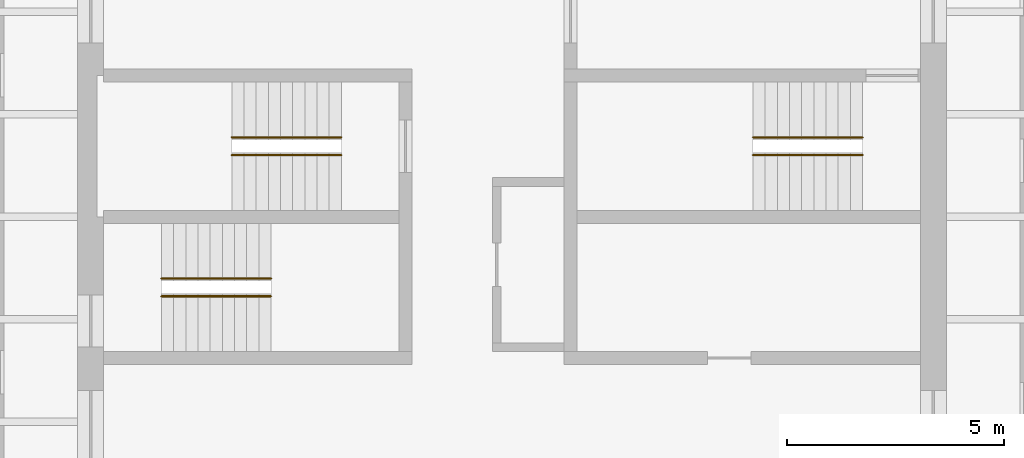
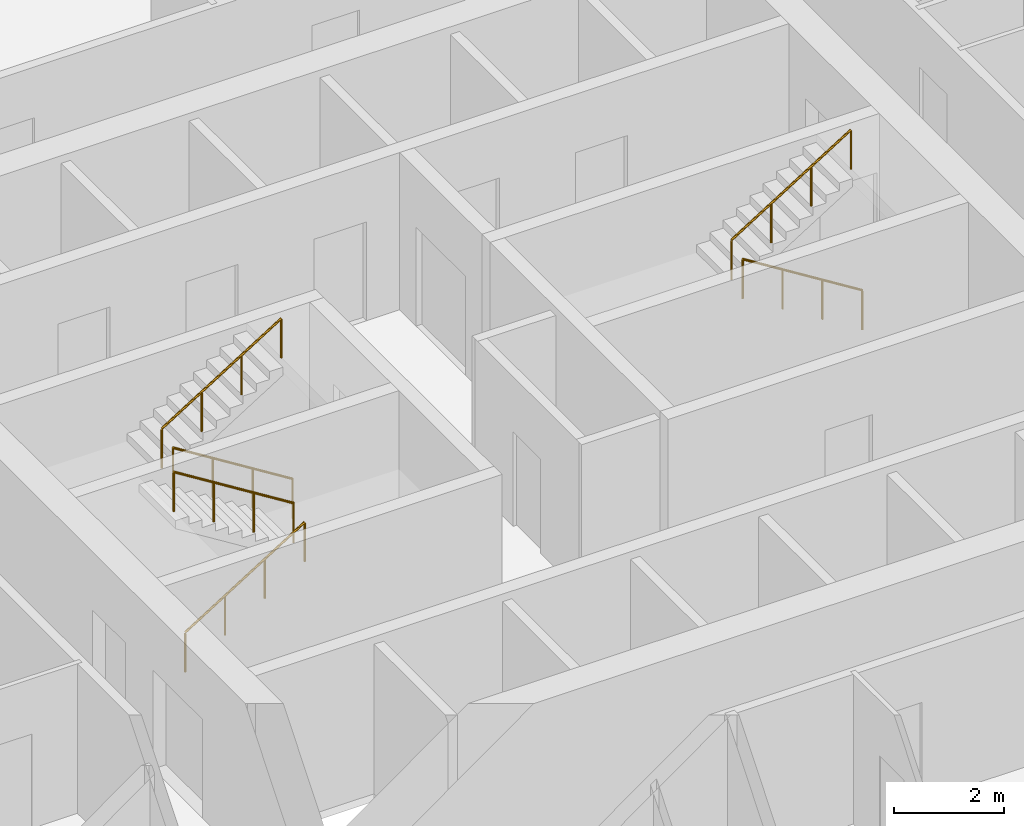
# One storey, part 9 of 9: 6 railings.
"""IFC4 building model written with IfcOpenShell, lengths in metres."""

from ifc_helpers import new_model, si_unit, direction, frame, origin, origin_2d, place, context, subcontext, project, spatial, circle, extrude, material, type_object, element, save


model = new_model("IFC4")

# Units and contexts
model_context = context("Model", 3, precision=1e-05, world=origin(), true_north=direction((0.0, 1.0)))
body_context = subcontext(model_context, "Body", "Model", "MODEL_VIEW")
ifc_project = project(units=[si_unit("LENGTHUNIT", "METRE"), si_unit("AREAUNIT", "SQUARE_METRE"), si_unit("VOLUMEUNIT", "CUBIC_METRE"), si_unit("PLANEANGLEUNIT", "RADIAN"), si_unit("MASSUNIT", "GRAM", prefix="KILO")], contexts=[model_context])

# Site, building, storey
site_placement = place(None, origin())
site = spatial("IfcSite", under=ifc_project, at=site_placement, CompositionType="ELEMENT")
building_placement = place(site_placement, origin())
building = spatial("IfcBuilding", under=site, at=building_placement, Name="Turquesa Mirador Hotel Tower", CompositionType="ELEMENT")
storey_placement = place(building_placement, frame((0.0, 0.0, 110.89990234375)))
storey = spatial("IfcBuildingStorey", under=building, at=storey_placement, Name="L29", CompositionType="ELEMENT", Elevation=110.89990234375)

# Railings
ifc_material = material(Name="Painted steel handrail", Category="steel")
railing_type = type_object("IfcRailingType", Name="HANDRAIL 900 STEEL", PredefinedType="HANDRAIL", material=ifc_material)
railing_1_placement = place(storey_placement, frame((51.070068359375, 46.419921875, 0.175048828125)))
element("IfcRailing", 1, at=railing_1_placement, inside=storey, type_object=railing_type, Name="Handrail ST1", PredefinedType="HANDRAIL", context=body_context, shape_type="SweptSolid", body=[
    extrude(circle(Radius=0.02392578125, at=origin_2d()), frame((0.0, 0.0, 0.8759765625), z_axis=(-0.848007534815, 0.0, 0.529984170421), x_axis=(0.0, -1.0, 0.0)), (0.0, 0.0, 1.0), 2.9716796875),
    extrude(circle(Radius=0.02099609375, at=origin_2d()), origin(), (0.0, 0.0, 1.0), 0.851806640625),
    extrude(circle(Radius=0.02099609375, at=origin_2d()), frame((-0.840087890625, 0.0, 0.52490234375)), (0.0, 0.0, 1.0), 0.851806640625),
    extrude(circle(Radius=0.02099609375, at=origin_2d()), frame((-1.679931640625, 0.0, 1.050048828125)), (0.0, 0.0, 1.0), 0.851806640625),
    extrude(circle(Radius=0.02099609375, at=origin_2d()), frame((-2.52001953125, 0.0, 1.574951171875)), (0.0, 0.0, 1.0), 0.851806640625),
])
for number, where, name in (
    (2, (48.550048828125, 46.830078125, 1.925048828125), "Handrail ST1"),
    (3, (46.929931640625, 43.169921875, 0.175048828125), "Handrail ST2"),
):
    element("IfcRailing", number, at=place(storey_placement, frame(where)), inside=storey, type_object=railing_type, Name=name, PredefinedType="HANDRAIL", context=body_context, shape_type="SweptSolid", body=[
        extrude(circle(Radius=0.02392578125, at=origin_2d()), frame((0.0, 0.0, 0.8759765625), z_axis=(0.848007534815, 0.0, 0.529984170421), x_axis=(0.0, 1.0, 0.0)), (0.0, 0.0, 1.0), 2.9716796875),
        extrude(circle(Radius=0.02099609375, at=origin_2d()), origin(), (0.0, 0.0, 1.0), 0.851806640625),
        extrude(circle(Radius=0.02099609375, at=origin_2d()), frame((0.840087890625, 0.0, 0.52490234375)), (0.0, 0.0, 1.0), 0.851806640625),
        extrude(circle(Radius=0.02099609375, at=origin_2d()), frame((1.679931640625, 0.0, 1.050048828125)), (0.0, 0.0, 1.0), 0.851806640625),
        extrude(circle(Radius=0.02099609375, at=origin_2d()), frame((2.52001953125, 0.0, 1.574951171875)), (0.0, 0.0, 1.0), 0.851806640625),
    ])
for number, where, name in (
    (4, (49.449951171875, 43.580078125, 1.925048828125), "Handrail ST2"),
    (5, (63.070068359375, 46.419921875, 0.175048828125), "Handrail ST3"),
):
    element("IfcRailing", number, at=place(storey_placement, frame(where)), inside=storey, type_object=railing_type, Name=name, PredefinedType="HANDRAIL", context=body_context, shape_type="SweptSolid", body=[
        extrude(circle(Radius=0.02392578125, at=origin_2d()), frame((0.0, 0.0, 0.8759765625), z_axis=(-0.848007534815, 0.0, 0.529984170421), x_axis=(0.0, -1.0, 0.0)), (0.0, 0.0, 1.0), 2.9716796875),
        extrude(circle(Radius=0.02099609375, at=origin_2d()), origin(), (0.0, 0.0, 1.0), 0.851806640625),
        extrude(circle(Radius=0.02099609375, at=origin_2d()), frame((-0.840087890625, 0.0, 0.52490234375)), (0.0, 0.0, 1.0), 0.851806640625),
        extrude(circle(Radius=0.02099609375, at=origin_2d()), frame((-1.679931640625, 0.0, 1.050048828125)), (0.0, 0.0, 1.0), 0.851806640625),
        extrude(circle(Radius=0.02099609375, at=origin_2d()), frame((-2.52001953125, 0.0, 1.574951171875)), (0.0, 0.0, 1.0), 0.851806640625),
    ])
railing_2_placement = place(storey_placement, frame((60.550048828125, 46.830078125, 1.925048828125)))
element("IfcRailing", 6, at=railing_2_placement, inside=storey, type_object=railing_type, Name="Handrail ST3", PredefinedType="HANDRAIL", context=body_context, shape_type="SweptSolid", body=[
    extrude(circle(Radius=0.02392578125, at=origin_2d()), frame((0.0, 0.0, 0.8759765625), z_axis=(0.848007534815, 0.0, 0.529984170421), x_axis=(0.0, 1.0, 0.0)), (0.0, 0.0, 1.0), 2.9716796875),
    extrude(circle(Radius=0.02099609375, at=origin_2d()), origin(), (0.0, 0.0, 1.0), 0.851806640625),
    extrude(circle(Radius=0.02099609375, at=origin_2d()), frame((0.840087890625, 0.0, 0.52490234375)), (0.0, 0.0, 1.0), 0.851806640625),
    extrude(circle(Radius=0.02099609375, at=origin_2d()), frame((1.679931640625, 0.0, 1.050048828125)), (0.0, 0.0, 1.0), 0.851806640625),
    extrude(circle(Radius=0.02099609375, at=origin_2d()), frame((2.52001953125, 0.0, 1.574951171875)), (0.0, 0.0, 1.0), 0.851806640625),
])

save(model, "model.ifc")
